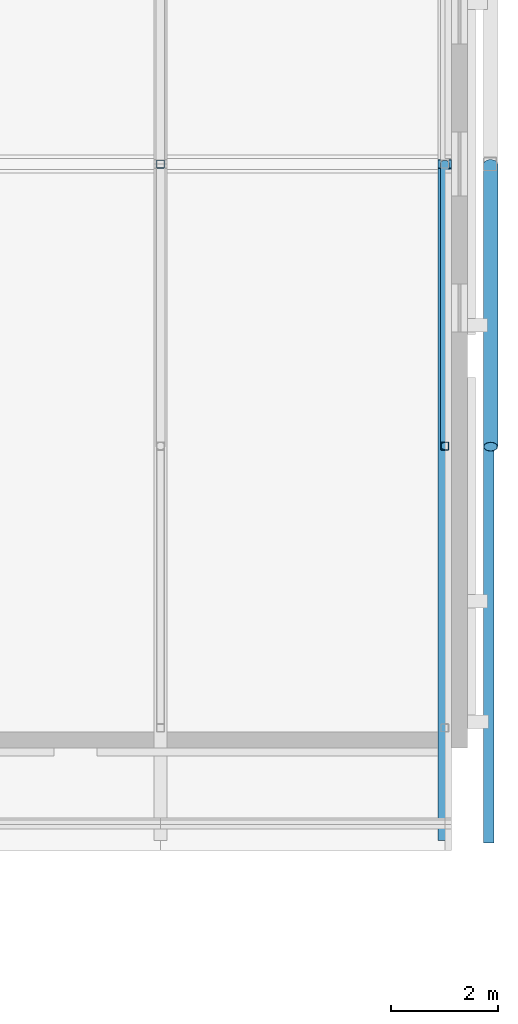
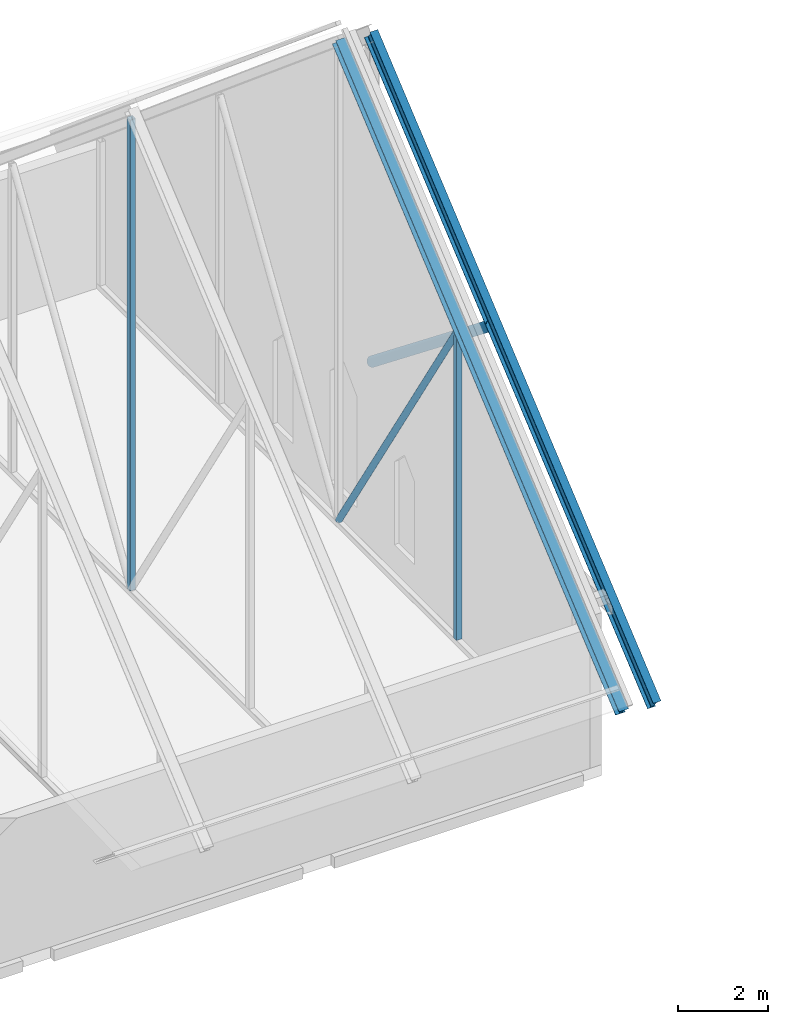
# One storey, part 13 of 29: 6 members.
"""IFC4 building model written with IfcOpenShell, lengths in metres."""

from ifc_helpers import new_model, si_unit, direction, frame, origin, origin_2d, place, context, subcontext, project, spatial, hollow_rectangle, hollow_circle, i_section, extrude, material, material_profile, profile_set, type_object, element, save


model = new_model("IFC4")

# Units and contexts
model_context = context("Model", 3, precision=1e-05, world=origin(), true_north=direction((0.0, 1.0)))
body_context = subcontext(model_context, "Body", "Model", "MODEL_VIEW")
ifc_project = project(units=[si_unit("LENGTHUNIT", "METRE"), si_unit("AREAUNIT", "SQUARE_METRE"), si_unit("VOLUMEUNIT", "CUBIC_METRE"), si_unit("PLANEANGLEUNIT", "RADIAN"), si_unit("MASSUNIT", "GRAM", prefix="KILO")], contexts=[model_context])

# Site, building, storey
site_placement = place(None, origin())
site = spatial("IfcSite", under=ifc_project, at=site_placement, CompositionType="ELEMENT")
building_placement = place(site_placement, origin())
building = spatial("IfcBuilding", under=site, at=building_placement, Name="Silangan Lancet Faculty of Sciences", CompositionType="ELEMENT")
storey_placement = place(building_placement, frame((0.0, 0.0, 54.300048828125)))
storey = spatial("IfcBuildingStorey", under=building, at=storey_placement, Name="L11", CompositionType="ELEMENT", Elevation=54.300048828125)

# Members
ifc_material_1 = material(Name="Steel SS400", Category="steel")
ifc_material_profile_1 = material_profile(ifc_material_1, i_section(OverallWidth=0.199951171875, OverallDepth=0.39990234375, WebThickness=0.008056640625, FlangeThickness=0.012939453125, FilletRadius=0.01611328125, at=origin_2d()), Name="H 400x200x8x13")
ifc_profile_set_1 = profile_set([ifc_material_profile_1], Name="Steel SS400")
member_type_1 = type_object("IfcMemberType", Name="Gable truss rafter H 400x200x8x13", PredefinedType="RAFTER", material=ifc_profile_set_1)
member_1_placement = place(storey_placement, frame((29.35009765625, 34.199951171875, 2.479248046875), z_axis=(0.0, 0.765707787529, 0.643188606955), x_axis=(-1.0, 0.0, 0.0)))
element("IfcMember", 1, at=member_1_placement, inside=storey, type_object=member_type_1, Name="Gable truss rafter A", PredefinedType="RAFTER", context=body_context, shape_type="SweptSolid", body=[
    extrude(i_section(OverallWidth=0.199951171875, OverallDepth=0.39990234375, WebThickness=0.008056640625, FlangeThickness=0.012939453125, FilletRadius=0.01611328125, at=origin_2d()), origin(), (0.0, 0.0, 1.0), 16.45556640625),
])
ifc_material_2 = material(Name="Steel STK400", Category="steel")
ifc_material_profile_2 = material_profile(ifc_material_2, hollow_circle(Radius=0.1337890625, WallThickness=0.008056640625, at=origin_2d()), Name="CHS 267.4x8.0")
ifc_profile_set_2 = profile_set([ifc_material_profile_2], Name="Steel STK400")
member_type_2 = type_object("IfcMemberType", Name="Gable truss strut CHS 267.4x8.0", PredefinedType="BRACE", material=ifc_profile_set_2)
member_2_placement = place(storey_placement, frame((29.3837890625, 46.800048828125, 4.14990234375), z_axis=(0.0, -0.78373460295, 0.621095863888), x_axis=(1.0, 0.0, 0.0)))
element("IfcMember", 2, at=member_2_placement, inside=storey, type_object=member_type_2, Name="Gable truss strut A", PredefinedType="BRACE", context=body_context, shape_type="SweptSolid", body=[
    extrude(hollow_circle(Radius=0.1337890625, WallThickness=0.008056640625, at=origin_2d()), origin(), (0.0, 0.0, 1.0), 6.762451171875),
])
ifc_material_3 = material(Name="Steel STK400", Category="steel")
ifc_material_profile_3 = material_profile(ifc_material_3, hollow_circle(Radius=0.08251953125, WallThickness=0.0048828125, at=origin_2d()), Name="CHS 165.2x5.0")
ifc_profile_set_3 = profile_set([ifc_material_profile_3], Name="Steel STK400")
member_type_3 = type_object("IfcMemberType", Name="Truss diagonal CHS 165.2x5.0", PredefinedType="BRACE", material=ifc_profile_set_3)
member_3_placement = place(storey_placement, frame((28.52490234375, 46.800048828125, 0.14990234375), z_axis=(0.0, -0.535296081425, 0.84466449269), x_axis=(1.0, 0.0, 0.0)))
element("IfcMember", 3, at=member_3_placement, inside=storey, type_object=member_type_3, Name="Gable truss 5 diagonal S", PredefinedType="BRACE", context=body_context, shape_type="SweptSolid", body=[
    extrude(hollow_circle(Radius=0.08251953125, WallThickness=0.0048828125, at=origin_2d()), origin(), (0.0, 0.0, 1.0), 9.8779296875),
])
ifc_material_4 = material(Name="Steel STKR400", Category="steel")
ifc_material_profile_4 = material_profile(ifc_material_4, hollow_rectangle(XDim=0.14990234375, YDim=0.14990234375, WallThickness=0.006103515625, InnerFilletRadius=0.006103515625, OuterFilletRadius=0.011962890625, at=origin_2d()), Name="SHS 150x150x6.0")
ifc_profile_set_4 = profile_set([ifc_material_profile_4], Name="Steel STKR400")
member_type_4 = type_object("IfcMemberType", Name="Truss post SHS 150x150x6.0", PredefinedType="POST", material=ifc_profile_set_4)
member_4_placement = place(storey_placement, frame((23.19384765625, 46.800048828125, 0.14990234375), z_axis=(0.0, 0.0, 1.0), x_axis=(1.0, 0.0, 0.0)))
element("IfcMember", 4, at=member_4_placement, inside=storey, type_object=member_type_4, Name="Gable truss 4 king post", PredefinedType="POST", context=body_context, shape_type="SweptSolid", body=[
    extrude(hollow_rectangle(XDim=0.14990234375, YDim=0.14990234375, WallThickness=0.006103515625, InnerFilletRadius=0.006103515625, OuterFilletRadius=0.011962890625, at=origin_2d()), origin(), (0.0, 0.0, 1.0), 12.78515625),
])
member_5_placement = place(storey_placement, frame((28.52490234375, 41.512451171875, 0.14990234375), z_axis=(0.0, 0.0, 1.0), x_axis=(1.0, 0.0, 0.0)))
element("IfcMember", 5, at=member_5_placement, inside=storey, type_object=member_type_4, Name="Gable truss 5 mid post S", PredefinedType="POST", context=body_context, shape_type="SweptSolid", body=[
    extrude(hollow_rectangle(XDim=0.14990234375, YDim=0.14990234375, WallThickness=0.006103515625, InnerFilletRadius=0.006103515625, OuterFilletRadius=0.011962890625, at=origin_2d()), origin(), (0.0, 0.0, 1.0), 8.343505859375),
])
ifc_material_5 = material(Name="Steel SS400", Category="steel")
ifc_material_profile_5 = material_profile(ifc_material_5, i_section(OverallWidth=0.25, OverallDepth=0.25, WebThickness=0.009033203125, FlangeThickness=0.013916015625, FilletRadius=0.01611328125, at=origin_2d()), Name="H 250x250x9x14")
ifc_profile_set_5 = profile_set([ifc_material_profile_5], Name="Steel SS400")
member_type_5 = type_object("IfcMemberType", Name="Truss top chord H 250x250x9x14", PredefinedType="CHORD", material=ifc_profile_set_5)
member_6_placement = place(storey_placement, frame((28.52490234375, 34.199951171875, 2.5771484375), z_axis=(0.0, 0.765707787529, 0.643188606955), x_axis=(-1.0, 0.0, 0.0)))
element("IfcMember", 6, at=member_6_placement, inside=storey, type_object=member_type_5, Name="Gable truss 5 rafter S", PredefinedType="CHORD", context=body_context, shape_type="SweptSolid", body=[
    extrude(i_section(OverallWidth=0.25, OverallDepth=0.25, WebThickness=0.009033203125, FlangeThickness=0.013916015625, FilletRadius=0.01611328125, at=origin_2d()), origin(), (0.0, 0.0, 1.0), 16.45556640625),
])

save(model, "model.ifc")
